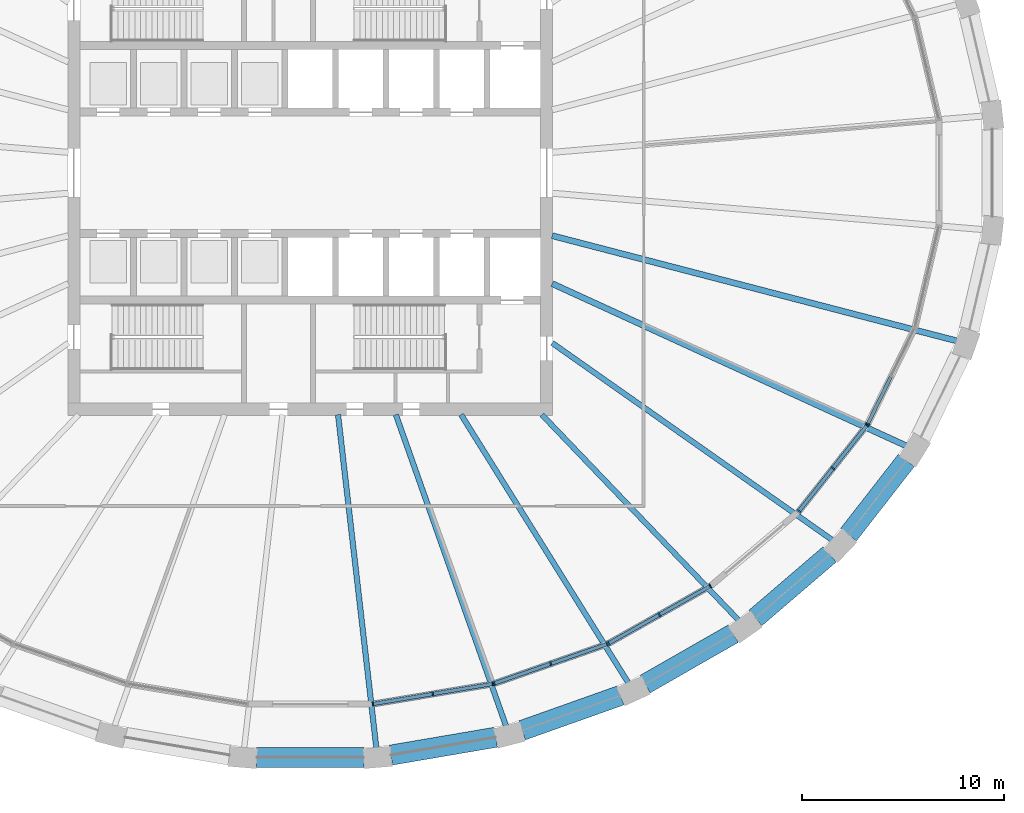
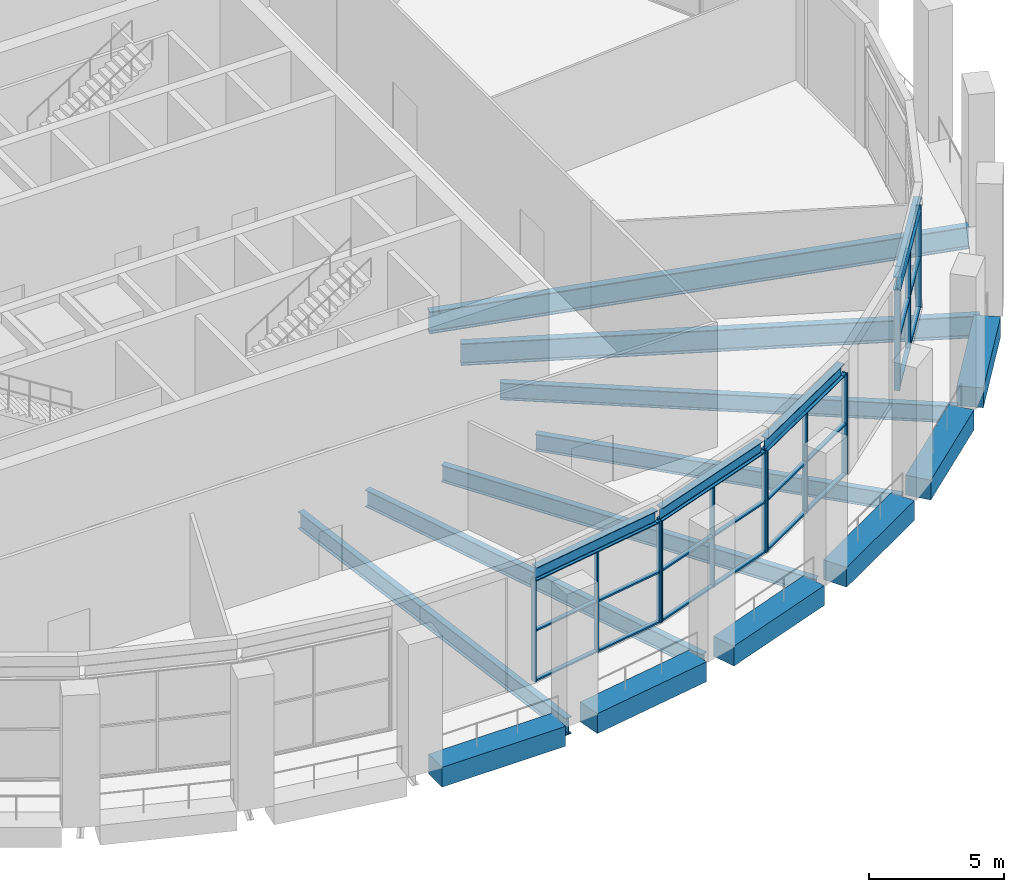
# One storey, part 4 of 19: 39 members, 17 beams, 5 elements without a shape of their own.
"""IFC4 building model written with IfcOpenShell, lengths in metres."""

from ifc_helpers import new_model, si_unit, direction, frame, origin, origin_2d, place, context, subcontext, project, spatial, rectangle, i_section, extrude, material, material_profile, profile_set, type_object, element, aggregate, save


model = new_model("IFC4")

# Units and contexts
model_context = context("Model", 3, precision=1e-05, world=origin(), true_north=direction((0.0, 1.0)))
body_context = subcontext(model_context, "Body", "Model", "MODEL_VIEW")
ifc_project = project(units=[si_unit("LENGTHUNIT", "METRE"), si_unit("AREAUNIT", "SQUARE_METRE"), si_unit("VOLUMEUNIT", "CUBIC_METRE"), si_unit("PLANEANGLEUNIT", "RADIAN"), si_unit("MASSUNIT", "GRAM", prefix="KILO")], contexts=[model_context])

# Site, building, storey
site_placement = place(None, origin())
site = spatial("IfcSite", under=ifc_project, at=site_placement, CompositionType="ELEMENT")
building_placement = place(site_placement, origin())
building = spatial("IfcBuilding", under=site, at=building_placement, Name="Halqa Exchange Tower", CompositionType="ELEMENT")
storey_placement = place(building_placement, frame((0.0, 0.0, 167.5)))
storey = spatial("IfcBuildingStorey", under=building, at=storey_placement, Name="L38", CompositionType="ELEMENT", Elevation=167.5)

# Beams
ifc_material_1 = material(Name="Steel S355", Category="steel")
ifc_material_profile_1 = material_profile(ifc_material_1, i_section(OverallWidth=0.300048828125, OverallDepth=0.989990234375, WebThickness=0.0166015625, FlangeThickness=0.031005859375, FilletRadius=0.030029296875, at=origin_2d()), Name="HEA 1000")
ifc_profile_set_1 = profile_set([ifc_material_profile_1], Name="Steel S355")
beam_type_1 = type_object("IfcBeamType", Name="Floor beam HEA 1000", PredefinedType="BEAM", material=ifc_profile_set_1)
beam_1_placement = place(storey_placement, frame((11.972412109375, -5.4853515625, -0.844970703125), z_axis=(0.909131678644, -0.416508812495, 0.0), x_axis=(0.416508812495, 0.909131678644, 0.0)))
element("IfcBeam", 1, at=beam_1_placement, inside=storey, type_object=beam_type_1, Name="Radial beam 30", PredefinedType="BEAM", context=body_context, shape_type="SweptSolid", body=[
    extrude(i_section(OverallWidth=0.300048828125, OverallDepth=0.989990234375, WebThickness=0.0166015625, FlangeThickness=0.031005859375, FilletRadius=0.030029296875, at=origin_2d()), origin(), (0.0, 0.0, 1.0), 19.36083984375),
])
ifc_material_profile_2 = material_profile(ifc_material_1, i_section(OverallWidth=0.300048828125, OverallDepth=1.0, WebThickness=0.01904296875, FlangeThickness=0.035888671875, FilletRadius=0.030029296875, at=origin_2d()), Name="HEB 1000")
ifc_profile_set_2 = profile_set([ifc_material_profile_2], Name="Steel S355")
beam_type_2 = type_object("IfcBeamType", Name="Floor beam HEB 1000", PredefinedType="BEAM", material=ifc_profile_set_2)
beam_2_placement = place(storey_placement, frame((11.97119140625, -3.11279296875, -0.85009765625), z_axis=(0.967821534715, -0.251637590478, 0.0), x_axis=(0.251637590478, 0.967821534715, 0.0)))
element("IfcBeam", 2, at=beam_2_placement, inside=storey, type_object=beam_type_2, Name="Radial beam 31", PredefinedType="BEAM", context=body_context, shape_type="SweptSolid", body=[
    extrude(i_section(OverallWidth=0.300048828125, OverallDepth=1.0, WebThickness=0.01904296875, FlangeThickness=0.035888671875, FilletRadius=0.030029296875, at=origin_2d()), origin(), (0.0, 0.0, 1.0), 20.79638671875),
])
ifc_material_profile_3 = material_profile(ifc_material_1, i_section(OverallWidth=0.264892578125, OverallDepth=0.7529296875, WebThickness=0.01318359375, FlangeThickness=0.01708984375, FilletRadius=0.01708984375, at=origin_2d()), Name="IPE 750x147")
ifc_profile_set_3 = profile_set([ifc_material_profile_3], Name="Steel S355")
beam_type_3 = type_object("IfcBeamType", Name="Floor beam IPE 750x147", PredefinedType="BEAM", material=ifc_profile_set_3)
beam_3_placement = place(storey_placement, frame((11.462890625, -11.97216796875, -0.7265625), z_axis=(0.691574751558, -0.722304896153, 0.0), x_axis=(0.722304896153, 0.691574751558, 0.0)))
element("IfcBeam", 3, at=beam_3_placement, inside=storey, type_object=beam_type_3, Name="Radial beam 28", PredefinedType="BEAM", context=body_context, shape_type="SweptSolid", body=[
    extrude(i_section(OverallWidth=0.264892578125, OverallDepth=0.7529296875, WebThickness=0.01318359375, FlangeThickness=0.01708984375, FilletRadius=0.01708984375, at=origin_2d()), origin(), (0.0, 0.0, 1.0), 14.165283203125),
])
ifc_material_profile_4 = material_profile(ifc_material_1, i_section(OverallWidth=0.26806640625, OverallDepth=0.77001953125, WebThickness=0.015625, FlangeThickness=0.025390625, FilletRadius=0.01708984375, at=origin_2d()), Name="IPE 750x196")
ifc_profile_set_4 = profile_set([ifc_material_profile_4], Name="Steel S355")
beam_type_4 = type_object("IfcBeamType", Name="Floor beam IPE 750x196", PredefinedType="BEAM", material=ifc_profile_set_4)
beam_4_placement = place(storey_placement, frame((1.37548828125, -11.97119140625, -0.735107421875), z_axis=(0.114150878314, -0.993463425084, 0.0), x_axis=(0.993463425084, 0.114150878314, 0.0)))
element("IfcBeam", 4, at=beam_4_placement, inside=storey, type_object=beam_type_4, Name="Radial beam 25", PredefinedType="BEAM", context=body_context, shape_type="SweptSolid", body=[
    extrude(i_section(OverallWidth=0.26806640625, OverallDepth=0.77001953125, WebThickness=0.015625, FlangeThickness=0.025390625, FilletRadius=0.01708984375, at=origin_2d()), origin(), (0.0, 0.0, 1.0), 16.70361328125),
])
beam_5_placement = place(storey_placement, frame((4.237060546875, -11.972412109375, -0.735107421875), z_axis=(0.333624740658, -0.942705962865, 0.0), x_axis=(0.942705962865, 0.333624740658, 0.0)))
element("IfcBeam", 5, at=beam_5_placement, inside=storey, type_object=beam_type_4, Name="Radial beam 26", PredefinedType="BEAM", context=body_context, shape_type="SweptSolid", body=[
    extrude(i_section(OverallWidth=0.26806640625, OverallDepth=0.77001953125, WebThickness=0.015625, FlangeThickness=0.025390625, FilletRadius=0.01708984375, at=origin_2d()), origin(), (0.0, 0.0, 1.0), 16.440185546875),
])
beam_6_placement = place(storey_placement, frame((7.46533203125, -11.971435546875, -0.735107421875), z_axis=(0.529139539114, -0.848534824357, 0.0), x_axis=(0.848534824357, 0.529139539114, 0.0)))
element("IfcBeam", 6, at=beam_6_placement, inside=storey, type_object=beam_type_4, Name="Radial beam 27", PredefinedType="BEAM", context=body_context, shape_type="SweptSolid", body=[
    extrude(i_section(OverallWidth=0.26806640625, OverallDepth=0.77001953125, WebThickness=0.015625, FlangeThickness=0.025390625, FilletRadius=0.01708984375, at=origin_2d()), origin(), (0.0, 0.0, 1.0), 15.73486328125),
])
beam_7_placement = place(storey_placement, frame((11.971435546875, -8.421142578125, -0.735107421875), z_axis=(0.817908264437, -0.575348651659, 0.0), x_axis=(0.575348651659, 0.817908264437, 0.0)))
element("IfcBeam", 7, at=beam_7_placement, inside=storey, type_object=beam_type_4, Name="Radial beam 29", PredefinedType="BEAM", context=body_context, shape_type="SweptSolid", body=[
    extrude(i_section(OverallWidth=0.26806640625, OverallDepth=0.77001953125, WebThickness=0.015625, FlangeThickness=0.025390625, FilletRadius=0.01708984375, at=origin_2d()), origin(), (0.0, 0.0, 1.0), 17.04638671875),
])
ifc_material_profile_5 = material_profile(ifc_material_1, i_section(OverallWidth=0.300048828125, OverallDepth=0.60009765625, WebThickness=0.015380859375, FlangeThickness=0.030029296875, FilletRadius=0.027099609375, at=origin_2d()), Name="HEB 600")
ifc_profile_set_5 = profile_set([ifc_material_profile_5], Name="Steel S355")
beam_type_5 = type_object("IfcBeamType", Name="Head beam HEB 600", PredefinedType="BEAM", material=ifc_profile_set_5)
beam_8_placement = place(storey_placement, frame((3.13037109375, -26.287353515625, 4.89990234375), z_axis=(0.986189441938, 0.165621208213, 0.0), x_axis=(-0.165621208213, 0.986189441938, 0.0)))
element("IfcBeam", 8, at=beam_8_placement, inside=storey, type_object=beam_type_5, Name="Spandrel head beam 25", PredefinedType="BEAM", context=body_context, shape_type="SweptSolid", body=[
    extrude(i_section(OverallWidth=0.300048828125, OverallDepth=0.60009765625, WebThickness=0.015380859375, FlangeThickness=0.030029296875, FilletRadius=0.027099609375, at=origin_2d()), origin(), (0.0, 0.0, 1.0), 5.797607421875),
])
beam_9_placement = place(storey_placement, frame((9.06640625, -25.29150390625, 4.89990234375), z_axis=(0.943946157734, 0.330099456679, 0.0), x_axis=(-0.330099456679, 0.943946157734, 0.0)))
element("IfcBeam", 9, at=beam_9_placement, inside=storey, type_object=beam_type_5, Name="Spandrel head beam 26", PredefinedType="BEAM", context=body_context, shape_type="SweptSolid", body=[
    extrude(i_section(OverallWidth=0.300048828125, OverallDepth=0.60009765625, WebThickness=0.015380859375, FlangeThickness=0.030029296875, FilletRadius=0.027099609375, at=origin_2d()), origin(), (0.0, 0.0, 1.0), 5.719970703125),
])
beam_10_placement = place(storey_placement, frame((14.68212890625, -23.33837890625, 4.89990234375), z_axis=(0.870952166168, 0.491367809535, 0.0), x_axis=(-0.491367809535, 0.870952166168, 0.0)))
element("IfcBeam", 10, at=beam_10_placement, inside=storey, type_object=beam_type_5, Name="Spandrel head beam 27", PredefinedType="BEAM", context=body_context, shape_type="SweptSolid", body=[
    extrude(i_section(OverallWidth=0.300048828125, OverallDepth=0.60009765625, WebThickness=0.015380859375, FlangeThickness=0.030029296875, FilletRadius=0.027099609375, at=origin_2d()), origin(), (0.0, 0.0, 1.0), 5.60205078125),
])
beam_11_placement = place(storey_placement, frame((24.11865234375, -16.83251953125, 4.89990234375), z_axis=(0.620595231128, 0.784131085407, 0.0), x_axis=(-0.784131085407, 0.620595231128, 0.0)))
element("IfcBeam", 11, at=beam_11_placement, inside=storey, type_object=beam_type_5, Name="Spandrel head beam 29", PredefinedType="BEAM", context=body_context, shape_type="SweptSolid", body=[
    extrude(i_section(OverallWidth=0.300048828125, OverallDepth=0.60009765625, WebThickness=0.015380859375, FlangeThickness=0.030029296875, FilletRadius=0.027099609375, at=origin_2d()), origin(), (0.0, 0.0, 1.0), 5.283447265625),
])
ifc_material_2 = material(Name="Concrete C60/75", Category="concrete")
ifc_material_profile_6 = material_profile(ifc_material_2, rectangle(XDim=1.0, YDim=0.89990234375, at=origin_2d()), Name="1000 x 900")
ifc_profile_set_6 = profile_set([ifc_material_profile_6], Name="Concrete C60/75")
beam_type_6 = type_object("IfcBeamType", Name="RC spandrel beam 1000 x 900 C60/75", PredefinedType="SPANDREL", material=ifc_profile_set_6)
beam_12_placement = place(storey_placement, frame((-2.649658203125, -28.935302734375, -0.449951171875), z_axis=(1.0, 0.0, 0.0), x_axis=(0.0, 1.0, 0.0)))
element("IfcBeam", 12, at=beam_12_placement, inside=storey, type_object=beam_type_6, Name="Spandrel 24", PredefinedType="SPANDREL", context=body_context, shape_type="SweptSolid", body=[
    extrude(rectangle(XDim=1.0, YDim=0.89990234375, at=origin_2d()), origin(), (0.0, 0.0, 1.0), 5.29931640625),
])
beam_13_placement = place(storey_placement, frame((3.990478515625, -28.82177734375, -0.449951171875), z_axis=(0.985766792744, 0.168118500836, 0.0), x_axis=(-0.168118500836, 0.985766792744, 0.0)))
element("IfcBeam", 13, at=beam_13_placement, inside=storey, type_object=beam_type_6, Name="Spandrel 25", PredefinedType="SPANDREL", context=body_context, shape_type="SweptSolid", body=[
    extrude(rectangle(XDim=1.0, YDim=0.89990234375, at=origin_2d()), origin(), (0.0, 0.0, 1.0), 5.26708984375),
])
beam_14_placement = place(storey_placement, frame((10.482177734375, -27.59765625, -0.449951171875), z_axis=(0.942370602203, 0.334570841682, 0.0), x_axis=(-0.334570841682, 0.942370602203, 0.0)))
element("IfcBeam", 14, at=beam_14_placement, inside=storey, type_object=beam_type_6, Name="Spandrel 26", PredefinedType="SPANDREL", context=body_context, shape_type="SweptSolid", body=[
    extrude(rectangle(XDim=1.0, YDim=0.89990234375, at=origin_2d()), origin(), (0.0, 0.0, 1.0), 5.169921875),
])
beam_15_placement = place(storey_placement, frame((16.5751953125, -25.30712890625, -0.449951171875), z_axis=(0.867743165303, 0.497012876161, 0.0), x_axis=(-0.497012876161, 0.867743165303, 0.0)))
element("IfcBeam", 15, at=beam_15_placement, inside=storey, type_object=beam_type_6, Name="Spandrel 27", PredefinedType="SPANDREL", context=body_context, shape_type="SweptSolid", body=[
    extrude(rectangle(XDim=1.0, YDim=0.89990234375, at=origin_2d()), origin(), (0.0, 0.0, 1.0), 5.022705078125),
])
beam_16_placement = place(storey_placement, frame((22.031005859375, -22.03662109375, -0.449951171875), z_axis=(0.759260160399, 0.650787222394, 0.0), x_axis=(-0.650787222394, 0.759260160399, 0.0)))
element("IfcBeam", 16, at=beam_16_placement, inside=storey, type_object=beam_type_6, Name="Spandrel 28", PredefinedType="SPANDREL", context=body_context, shape_type="SweptSolid", body=[
    extrude(rectangle(XDim=1.0, YDim=0.89990234375, at=origin_2d()), origin(), (0.0, 0.0, 1.0), 4.843505859375),
])
beam_17_placement = place(storey_placement, frame((26.63623046875, -17.9130859375, -0.449951171875), z_axis=(0.614796515977, 0.78868577009, 0.0), x_axis=(-0.78868577009, 0.614796515977, 0.0)))
element("IfcBeam", 17, at=beam_17_placement, inside=storey, type_object=beam_type_6, Name="Spandrel 29", PredefinedType="SPANDREL", context=body_context, shape_type="SweptSolid", body=[
    extrude(rectangle(XDim=1.0, YDim=0.89990234375, at=origin_2d()), origin(), (0.0, 0.0, 1.0), 4.658447265625),
])

# Curtain wall, members
ifc_material_3 = material(Name="Anodised aluminium and clear glass", Category="aluminium")
curtain_wall_type = type_object("IfcCurtainWallType", Name="Sky lobby glazing", PredefinedType="NOTDEFINED", material=ifc_material_3)
curtain_wall_1_placement = place(storey_placement, origin())
curtain_wall_1 = element("IfcCurtainWall", 18, at=curtain_wall_1_placement, inside=storey, type_object=curtain_wall_type, Name="Sky lobby glazing run G25", PredefinedType="NOTDEFINED")
ifc_material_4 = material(Name="Anodised aluminium", Category="aluminium")
ifc_material_profile_7 = material_profile(ifc_material_4, rectangle(XDim=0.219970703125, YDim=0.070068359375, at=origin_2d()), Name="AL 70x220")
ifc_profile_set_7 = profile_set([ifc_material_profile_7], Name="Anodised aluminium")
member_type_1 = type_object("IfcMemberType", Name="Sky lobby glazing mullion 70 x 220", PredefinedType="MULLION", material=ifc_profile_set_7)
member_1_placement = place(storey_placement, frame((3.097412109375, -26.29296875, 0.0), z_axis=(0.0, 0.0, 1.0), x_axis=(-0.165625859626, 0.986188660766, 0.0)))
member_1 = element("IfcMember", 19, at=member_1_placement, type_object=member_type_1, Name="G25 mullion 1", PredefinedType="MULLION", context=body_context, shape_type="SweptSolid", body=[
    extrude(rectangle(XDim=0.219970703125, YDim=0.070068359375, at=origin_2d()), origin(), (0.0, 0.0, 1.0), 4.60009765625),
])
member_2_placement = place(storey_placement, frame((6.067138671875, -25.794189453125, 0.0), z_axis=(0.0, 0.0, 1.0), x_axis=(-0.165625859626, 0.986188660766, 0.0)))
member_2 = element("IfcMember", 20, at=member_2_placement, type_object=member_type_1, Name="G25 mullion 2", PredefinedType="MULLION", context=body_context, shape_type="SweptSolid", body=[
    extrude(rectangle(XDim=0.219970703125, YDim=0.070068359375, at=origin_2d()), origin(), (0.0, 0.0, 1.0), 4.60009765625),
])
member_3_placement = place(storey_placement, frame((9.036865234375, -25.29541015625, 0.0), z_axis=(0.0, 0.0, 1.0), x_axis=(-0.165625859626, 0.986188660766, 0.0)))
member_3 = element("IfcMember", 21, at=member_3_placement, type_object=member_type_1, Name="G25 mullion 3", PredefinedType="MULLION", context=body_context, shape_type="SweptSolid", body=[
    extrude(rectangle(XDim=0.219970703125, YDim=0.070068359375, at=origin_2d()), origin(), (0.0, 0.0, 1.0), 4.60009765625),
])

curtain_wall_2_placement = place(storey_placement, origin())
curtain_wall_2 = element("IfcCurtainWall", 22, at=curtain_wall_2_placement, inside=storey, type_object=curtain_wall_type, Name="Sky lobby glazing run G26", PredefinedType="NOTDEFINED")
member_4_placement = place(storey_placement, frame((9.1044921875, -25.278076171875, 0.0), z_axis=(0.0, 0.0, 1.0), x_axis=(-0.330100113683, 0.943945927978, 0.0)))
member_4 = element("IfcMember", 23, at=member_4_placement, type_object=member_type_1, Name="G26 mullion 1", PredefinedType="MULLION", context=body_context, shape_type="SweptSolid", body=[
    extrude(rectangle(XDim=0.219970703125, YDim=0.070068359375, at=origin_2d()), origin(), (0.0, 0.0, 1.0), 4.60009765625),
])
member_5_placement = place(storey_placement, frame((11.90185546875, -24.2998046875, 0.0), z_axis=(0.0, 0.0, 1.0), x_axis=(-0.330100113683, 0.943945927978, 0.0)))
member_5 = element("IfcMember", 24, at=member_5_placement, type_object=member_type_1, Name="G26 mullion 2", PredefinedType="MULLION", context=body_context, shape_type="SweptSolid", body=[
    extrude(rectangle(XDim=0.219970703125, YDim=0.070068359375, at=origin_2d()), origin(), (0.0, 0.0, 1.0), 4.60009765625),
])
member_6_placement = place(storey_placement, frame((14.699462890625, -23.321533203125, 0.0), z_axis=(0.0, 0.0, 1.0), x_axis=(-0.330100113683, 0.943945927978, 0.0)))
member_6 = element("IfcMember", 25, at=member_6_placement, type_object=member_type_1, Name="G26 mullion 3", PredefinedType="MULLION", context=body_context, shape_type="SweptSolid", body=[
    extrude(rectangle(XDim=0.219970703125, YDim=0.070068359375, at=origin_2d()), origin(), (0.0, 0.0, 1.0), 4.60009765625),
])

curtain_wall_3_placement = place(storey_placement, origin())
curtain_wall_3 = element("IfcCurtainWall", 26, at=curtain_wall_3_placement, inside=storey, type_object=curtain_wall_type, Name="Sky lobby glazing run G27", PredefinedType="NOTDEFINED")
member_7_placement = place(storey_placement, frame((14.762939453125, -23.292724609375, 0.0), z_axis=(0.0, 0.0, 1.0), x_axis=(-0.491353762941, 0.87096009073, 0.0)))
member_7 = element("IfcMember", 27, at=member_7_placement, type_object=member_type_1, Name="G27 mullion 1", PredefinedType="MULLION", context=body_context, shape_type="SweptSolid", body=[
    extrude(rectangle(XDim=0.219970703125, YDim=0.070068359375, at=origin_2d()), origin(), (0.0, 0.0, 1.0), 4.60009765625),
])
member_8_placement = place(storey_placement, frame((17.28076171875, -21.872314453125, 0.0), z_axis=(0.0, 0.0, 1.0), x_axis=(-0.491353762941, 0.87096009073, 0.0)))
member_8 = element("IfcMember", 28, at=member_8_placement, type_object=member_type_1, Name="G27 mullion 2", PredefinedType="MULLION", context=body_context, shape_type="SweptSolid", body=[
    extrude(rectangle(XDim=0.219970703125, YDim=0.070068359375, at=origin_2d()), origin(), (0.0, 0.0, 1.0), 4.60009765625),
])
member_9_placement = place(storey_placement, frame((19.798583984375, -20.451904296875, 0.0), z_axis=(0.0, 0.0, 1.0), x_axis=(-0.491353762941, 0.87096009073, 0.0)))
member_9 = element("IfcMember", 29, at=member_9_placement, type_object=member_type_1, Name="G27 mullion 3", PredefinedType="MULLION", context=body_context, shape_type="SweptSolid", body=[
    extrude(rectangle(XDim=0.219970703125, YDim=0.070068359375, at=origin_2d()), origin(), (0.0, 0.0, 1.0), 4.60009765625),
])

curtain_wall_4_placement = place(storey_placement, origin())
curtain_wall_4 = element("IfcCurtainWall", 30, at=curtain_wall_4_placement, inside=storey, type_object=curtain_wall_type, Name="Sky lobby glazing run G29", PredefinedType="NOTDEFINED")
member_10_placement = place(storey_placement, frame((24.18701171875, -16.746337890625, 0.0), z_axis=(0.0, 0.0, 1.0), x_axis=(-0.784140319926, 0.620583563001, 0.0)))
member_10 = element("IfcMember", 31, at=member_10_placement, type_object=member_type_1, Name="G29 mullion 1", PredefinedType="MULLION", context=body_context, shape_type="SweptSolid", body=[
    extrude(rectangle(XDim=0.219970703125, YDim=0.070068359375, at=origin_2d()), origin(), (0.0, 0.0, 1.0), 4.60009765625),
])
member_11_placement = place(storey_placement, frame((25.86962890625, -14.6201171875, 0.0), z_axis=(0.0, 0.0, 1.0), x_axis=(-0.784140319926, 0.620583563001, 0.0)))
member_11 = element("IfcMember", 32, at=member_11_placement, type_object=member_type_1, Name="G29 mullion 2", PredefinedType="MULLION", context=body_context, shape_type="SweptSolid", body=[
    extrude(rectangle(XDim=0.219970703125, YDim=0.070068359375, at=origin_2d()), origin(), (0.0, 0.0, 1.0), 4.60009765625),
])
member_12_placement = place(storey_placement, frame((27.55224609375, -12.493896484375, 0.0), z_axis=(0.0, 0.0, 1.0), x_axis=(-0.784140319926, 0.620583563001, 0.0)))
member_12 = element("IfcMember", 33, at=member_12_placement, type_object=member_type_1, Name="G29 mullion 3", PredefinedType="MULLION", context=body_context, shape_type="SweptSolid", body=[
    extrude(rectangle(XDim=0.219970703125, YDim=0.070068359375, at=origin_2d()), origin(), (0.0, 0.0, 1.0), 4.60009765625),
])

# Curtain wall, member
curtain_wall_5_placement = place(storey_placement, origin())
curtain_wall_5 = element("IfcCurtainWall", 34, at=curtain_wall_5_placement, inside=storey, type_object=curtain_wall_type, Name="Sky lobby glazing run G30", PredefinedType="NOTDEFINED")
member_13_placement = place(storey_placement, frame((27.58935546875, -12.43505859375, 0.0), z_axis=(0.0, 0.0, 1.0), x_axis=(-0.897780317672, 0.440443527823, 0.0)))
member_13 = element("IfcMember", 35, at=member_13_placement, type_object=member_type_1, Name="G30 mullion 1", PredefinedType="MULLION", context=body_context, shape_type="SweptSolid", body=[
    extrude(rectangle(XDim=0.219970703125, YDim=0.070068359375, at=origin_2d()), origin(), (0.0, 0.0, 1.0), 4.60009765625),
])

# Member
ifc_material_profile_8 = material_profile(ifc_material_4, rectangle(XDim=0.179931640625, YDim=0.070068359375, at=origin_2d()), Name="AL 70x180")
ifc_profile_set_8 = profile_set([ifc_material_profile_8], Name="Anodised aluminium")
member_type_2 = type_object("IfcMemberType", Name="Sky lobby glazing transom 70 x 180", PredefinedType="USERDEFINED", material=ifc_profile_set_8)
member_14_placement = place(storey_placement, frame((3.1318359375, -26.287109375, 0.034912109375), z_axis=(0.986195809365, 0.165583288982, 0.0), x_axis=(-0.165583288982, 0.986195809365, 0.0)))
member_14 = element("IfcMember", 36, at=member_14_placement, type_object=member_type_2, Name="G25 transom 1.1", ObjectType="TRANSOM", PredefinedType="USERDEFINED", context=body_context, shape_type="SweptSolid", body=[
    extrude(rectangle(XDim=0.179931640625, YDim=0.070068359375, at=origin_2d()), origin(), (0.0, 0.0, 1.0), 2.94140625),
])

member_15_placement = place(storey_placement, frame((3.1318359375, -26.287109375, 2.300048828125), z_axis=(0.986195809365, 0.165583288982, 0.0), x_axis=(-0.165583288982, 0.986195809365, 0.0)))
member_15 = element("IfcMember", 37, at=member_15_placement, type_object=member_type_2, Name="G25 transom 1.2", ObjectType="TRANSOM", PredefinedType="USERDEFINED", context=body_context, shape_type="SweptSolid", body=[
    extrude(rectangle(XDim=0.179931640625, YDim=0.070068359375, at=origin_2d()), origin(), (0.0, 0.0, 1.0), 2.94140625),
])

member_16_placement = place(storey_placement, frame((3.1318359375, -26.287109375, 4.56494140625), z_axis=(0.986195809365, 0.165583288982, 0.0), x_axis=(-0.165583288982, 0.986195809365, 0.0)))
member_16 = element("IfcMember", 38, at=member_16_placement, type_object=member_type_2, Name="G25 transom 1.3", ObjectType="TRANSOM", PredefinedType="USERDEFINED", context=body_context, shape_type="SweptSolid", body=[
    extrude(rectangle(XDim=0.179931640625, YDim=0.070068359375, at=origin_2d()), origin(), (0.0, 0.0, 1.0), 2.94140625),
])

member_17_placement = place(storey_placement, frame((6.1015625, -25.788330078125, 0.034912109375), z_axis=(0.986195809365, 0.165583288982, 0.0), x_axis=(-0.165583288982, 0.986195809365, 0.0)))
member_17 = element("IfcMember", 39, at=member_17_placement, type_object=member_type_2, Name="G25 transom 2.1", ObjectType="TRANSOM", PredefinedType="USERDEFINED", context=body_context, shape_type="SweptSolid", body=[
    extrude(rectangle(XDim=0.179931640625, YDim=0.070068359375, at=origin_2d()), origin(), (0.0, 0.0, 1.0), 2.94140625),
])

member_18_placement = place(storey_placement, frame((6.1015625, -25.788330078125, 2.300048828125), z_axis=(0.986195809365, 0.165583288982, 0.0), x_axis=(-0.165583288982, 0.986195809365, 0.0)))
member_18 = element("IfcMember", 40, at=member_18_placement, type_object=member_type_2, Name="G25 transom 2.2", ObjectType="TRANSOM", PredefinedType="USERDEFINED", context=body_context, shape_type="SweptSolid", body=[
    extrude(rectangle(XDim=0.179931640625, YDim=0.070068359375, at=origin_2d()), origin(), (0.0, 0.0, 1.0), 2.94140625),
])

member_19_placement = place(storey_placement, frame((6.1015625, -25.788330078125, 4.56494140625), z_axis=(0.986195809365, 0.165583288982, 0.0), x_axis=(-0.165583288982, 0.986195809365, 0.0)))
member_19 = element("IfcMember", 41, at=member_19_placement, type_object=member_type_2, Name="G25 transom 2.3", ObjectType="TRANSOM", PredefinedType="USERDEFINED", context=body_context, shape_type="SweptSolid", body=[
    extrude(rectangle(XDim=0.179931640625, YDim=0.070068359375, at=origin_2d()), origin(), (0.0, 0.0, 1.0), 2.94140625),
])

aggregate(curtain_wall_1, [member_1, member_2, member_3, member_14, member_15, member_16, member_17, member_18, member_19])

member_20_placement = place(storey_placement, frame((9.137451171875, -25.2666015625, 0.034912109375), z_axis=(0.943931992269, 0.330139961186, 0.0), x_axis=(-0.330139961186, 0.943931992269, 0.0)))
member_20 = element("IfcMember", 42, at=member_20_placement, type_object=member_type_2, Name="G26 transom 1.1", ObjectType="TRANSOM", PredefinedType="USERDEFINED", context=body_context, shape_type="SweptSolid", body=[
    extrude(rectangle(XDim=0.179931640625, YDim=0.070068359375, at=origin_2d()), origin(), (0.0, 0.0, 1.0), 2.893798828125),
])

member_21_placement = place(storey_placement, frame((9.137451171875, -25.2666015625, 2.300048828125), z_axis=(0.943931992269, 0.330139961186, 0.0), x_axis=(-0.330139961186, 0.943931992269, 0.0)))
member_21 = element("IfcMember", 43, at=member_21_placement, type_object=member_type_2, Name="G26 transom 1.2", ObjectType="TRANSOM", PredefinedType="USERDEFINED", context=body_context, shape_type="SweptSolid", body=[
    extrude(rectangle(XDim=0.179931640625, YDim=0.070068359375, at=origin_2d()), origin(), (0.0, 0.0, 1.0), 2.893798828125),
])

member_22_placement = place(storey_placement, frame((9.137451171875, -25.2666015625, 4.56494140625), z_axis=(0.943931992269, 0.330139961186, 0.0), x_axis=(-0.330139961186, 0.943931992269, 0.0)))
member_22 = element("IfcMember", 44, at=member_22_placement, type_object=member_type_2, Name="G26 transom 1.3", ObjectType="TRANSOM", PredefinedType="USERDEFINED", context=body_context, shape_type="SweptSolid", body=[
    extrude(rectangle(XDim=0.179931640625, YDim=0.070068359375, at=origin_2d()), origin(), (0.0, 0.0, 1.0), 2.893798828125),
])

member_23_placement = place(storey_placement, frame((11.93505859375, -24.2880859375, 0.034912109375), z_axis=(0.943958282215, 0.330064783699, 0.0), x_axis=(-0.330064783699, 0.943958282215, 0.0)))
member_23 = element("IfcMember", 45, at=member_23_placement, type_object=member_type_2, Name="G26 transom 2.1", ObjectType="TRANSOM", PredefinedType="USERDEFINED", context=body_context, shape_type="SweptSolid", body=[
    extrude(rectangle(XDim=0.179931640625, YDim=0.070068359375, at=origin_2d()), origin(), (0.0, 0.0, 1.0), 2.8935546875),
])

member_24_placement = place(storey_placement, frame((11.93505859375, -24.2880859375, 2.300048828125), z_axis=(0.943958282215, 0.330064783699, 0.0), x_axis=(-0.330064783699, 0.943958282215, 0.0)))
member_24 = element("IfcMember", 46, at=member_24_placement, type_object=member_type_2, Name="G26 transom 2.2", ObjectType="TRANSOM", PredefinedType="USERDEFINED", context=body_context, shape_type="SweptSolid", body=[
    extrude(rectangle(XDim=0.179931640625, YDim=0.070068359375, at=origin_2d()), origin(), (0.0, 0.0, 1.0), 2.8935546875),
])

member_25_placement = place(storey_placement, frame((11.93505859375, -24.2880859375, 4.56494140625), z_axis=(0.943958282215, 0.330064783699, 0.0), x_axis=(-0.330064783699, 0.943958282215, 0.0)))
member_25 = element("IfcMember", 47, at=member_25_placement, type_object=member_type_2, Name="G26 transom 2.3", ObjectType="TRANSOM", PredefinedType="USERDEFINED", context=body_context, shape_type="SweptSolid", body=[
    extrude(rectangle(XDim=0.179931640625, YDim=0.070068359375, at=origin_2d()), origin(), (0.0, 0.0, 1.0), 2.8935546875),
])

aggregate(curtain_wall_2, [member_4, member_5, member_6, member_20, member_21, member_22, member_23, member_24, member_25])

member_26_placement = place(storey_placement, frame((14.79345703125, -23.275390625, 0.034912109375), z_axis=(0.870962322605, 0.49134980676, 0.0), x_axis=(-0.49134980676, 0.870962322605, 0.0)))
member_26 = element("IfcMember", 48, at=member_26_placement, type_object=member_type_2, Name="G27 transom 1.1", ObjectType="TRANSOM", PredefinedType="USERDEFINED", context=body_context, shape_type="SweptSolid", body=[
    extrude(rectangle(XDim=0.179931640625, YDim=0.070068359375, at=origin_2d()), origin(), (0.0, 0.0, 1.0), 2.82080078125),
])

member_27_placement = place(storey_placement, frame((14.79345703125, -23.275390625, 2.300048828125), z_axis=(0.870962322605, 0.49134980676, 0.0), x_axis=(-0.49134980676, 0.870962322605, 0.0)))
member_27 = element("IfcMember", 49, at=member_27_placement, type_object=member_type_2, Name="G27 transom 1.2", ObjectType="TRANSOM", PredefinedType="USERDEFINED", context=body_context, shape_type="SweptSolid", body=[
    extrude(rectangle(XDim=0.179931640625, YDim=0.070068359375, at=origin_2d()), origin(), (0.0, 0.0, 1.0), 2.82080078125),
])

member_28_placement = place(storey_placement, frame((14.79345703125, -23.275390625, 4.56494140625), z_axis=(0.870962322605, 0.49134980676, 0.0), x_axis=(-0.49134980676, 0.870962322605, 0.0)))
member_28 = element("IfcMember", 50, at=member_28_placement, type_object=member_type_2, Name="G27 transom 1.3", ObjectType="TRANSOM", PredefinedType="USERDEFINED", context=body_context, shape_type="SweptSolid", body=[
    extrude(rectangle(XDim=0.179931640625, YDim=0.070068359375, at=origin_2d()), origin(), (0.0, 0.0, 1.0), 2.82080078125),
])

member_29_placement = place(storey_placement, frame((17.311279296875, -21.855224609375, 0.034912109375), z_axis=(0.870925282467, 0.491415457999, 0.0), x_axis=(-0.491415457999, 0.870925282467, 0.0)))
member_29 = element("IfcMember", 51, at=member_29_placement, type_object=member_type_2, Name="G27 transom 2.1", ObjectType="TRANSOM", PredefinedType="USERDEFINED", context=body_context, shape_type="SweptSolid", body=[
    extrude(rectangle(XDim=0.179931640625, YDim=0.070068359375, at=origin_2d()), origin(), (0.0, 0.0, 1.0), 2.82080078125),
])

member_30_placement = place(storey_placement, frame((17.311279296875, -21.855224609375, 2.300048828125), z_axis=(0.870925282467, 0.491415457999, 0.0), x_axis=(-0.491415457999, 0.870925282467, 0.0)))
member_30 = element("IfcMember", 52, at=member_30_placement, type_object=member_type_2, Name="G27 transom 2.2", ObjectType="TRANSOM", PredefinedType="USERDEFINED", context=body_context, shape_type="SweptSolid", body=[
    extrude(rectangle(XDim=0.179931640625, YDim=0.070068359375, at=origin_2d()), origin(), (0.0, 0.0, 1.0), 2.82080078125),
])

member_31_placement = place(storey_placement, frame((17.311279296875, -21.855224609375, 4.56494140625), z_axis=(0.870925282467, 0.491415457999, 0.0), x_axis=(-0.491415457999, 0.870925282467, 0.0)))
member_31 = element("IfcMember", 53, at=member_31_placement, type_object=member_type_2, Name="G27 transom 2.3", ObjectType="TRANSOM", PredefinedType="USERDEFINED", context=body_context, shape_type="SweptSolid", body=[
    extrude(rectangle(XDim=0.179931640625, YDim=0.070068359375, at=origin_2d()), origin(), (0.0, 0.0, 1.0), 2.82080078125),
])

aggregate(curtain_wall_3, [member_7, member_8, member_9, member_26, member_27, member_28, member_29, member_30, member_31])

member_32_placement = place(storey_placement, frame((24.208740234375, -16.71875, 0.034912109375), z_axis=(0.620560889175, 0.78415826389, 0.0), x_axis=(-0.78415826389, 0.620560889175, 0.0)))
member_32 = element("IfcMember", 54, at=member_32_placement, type_object=member_type_2, Name="G29 transom 1.1", ObjectType="TRANSOM", PredefinedType="USERDEFINED", context=body_context, shape_type="SweptSolid", body=[
    extrude(rectangle(XDim=0.179931640625, YDim=0.070068359375, at=origin_2d()), origin(), (0.0, 0.0, 1.0), 2.641357421875),
])

member_33_placement = place(storey_placement, frame((24.208740234375, -16.71875, 2.300048828125), z_axis=(0.620560889175, 0.78415826389, 0.0), x_axis=(-0.78415826389, 0.620560889175, 0.0)))
member_33 = element("IfcMember", 55, at=member_33_placement, type_object=member_type_2, Name="G29 transom 1.2", ObjectType="TRANSOM", PredefinedType="USERDEFINED", context=body_context, shape_type="SweptSolid", body=[
    extrude(rectangle(XDim=0.179931640625, YDim=0.070068359375, at=origin_2d()), origin(), (0.0, 0.0, 1.0), 2.641357421875),
])

member_34_placement = place(storey_placement, frame((24.208740234375, -16.71875, 4.56494140625), z_axis=(0.620560889175, 0.78415826389, 0.0), x_axis=(-0.78415826389, 0.620560889175, 0.0)))
member_34 = element("IfcMember", 56, at=member_34_placement, type_object=member_type_2, Name="G29 transom 1.3", ObjectType="TRANSOM", PredefinedType="USERDEFINED", context=body_context, shape_type="SweptSolid", body=[
    extrude(rectangle(XDim=0.179931640625, YDim=0.070068359375, at=origin_2d()), origin(), (0.0, 0.0, 1.0), 2.641357421875),
])

member_35_placement = place(storey_placement, frame((25.891357421875, -14.5927734375, 0.034912109375), z_axis=(0.620560889175, 0.78415826389, 0.0), x_axis=(-0.78415826389, 0.620560889175, 0.0)))
member_35 = element("IfcMember", 57, at=member_35_placement, type_object=member_type_2, Name="G29 transom 2.1", ObjectType="TRANSOM", PredefinedType="USERDEFINED", context=body_context, shape_type="SweptSolid", body=[
    extrude(rectangle(XDim=0.179931640625, YDim=0.070068359375, at=origin_2d()), origin(), (0.0, 0.0, 1.0), 2.641357421875),
])

member_36_placement = place(storey_placement, frame((25.891357421875, -14.5927734375, 2.300048828125), z_axis=(0.620560889175, 0.78415826389, 0.0), x_axis=(-0.78415826389, 0.620560889175, 0.0)))
member_36 = element("IfcMember", 58, at=member_36_placement, type_object=member_type_2, Name="G29 transom 2.2", ObjectType="TRANSOM", PredefinedType="USERDEFINED", context=body_context, shape_type="SweptSolid", body=[
    extrude(rectangle(XDim=0.179931640625, YDim=0.070068359375, at=origin_2d()), origin(), (0.0, 0.0, 1.0), 2.641357421875),
])

member_37_placement = place(storey_placement, frame((25.891357421875, -14.5927734375, 4.56494140625), z_axis=(0.620560889175, 0.78415826389, 0.0), x_axis=(-0.78415826389, 0.620560889175, 0.0)))
member_37 = element("IfcMember", 59, at=member_37_placement, type_object=member_type_2, Name="G29 transom 2.3", ObjectType="TRANSOM", PredefinedType="USERDEFINED", context=body_context, shape_type="SweptSolid", body=[
    extrude(rectangle(XDim=0.179931640625, YDim=0.070068359375, at=origin_2d()), origin(), (0.0, 0.0, 1.0), 2.641357421875),
])

aggregate(curtain_wall_4, [member_10, member_11, member_12, member_32, member_33, member_34, member_35, member_36, member_37])

member_38_placement = place(storey_placement, frame((27.604736328125, -12.403564453125, 0.034912109375), z_axis=(0.440491663702, 0.897756701011, 0.0), x_axis=(-0.897756701011, 0.440491663702, 0.0)))
member_38 = element("IfcMember", 60, at=member_38_placement, type_object=member_type_2, Name="G30 transom 1.1", ObjectType="TRANSOM", PredefinedType="USERDEFINED", context=body_context, shape_type="SweptSolid", body=[
    extrude(rectangle(XDim=0.179931640625, YDim=0.070068359375, at=origin_2d()), origin(), (0.0, 0.0, 1.0), 2.561767578125),
])

member_39_placement = place(storey_placement, frame((27.604736328125, -12.403564453125, 2.300048828125), z_axis=(0.440491663702, 0.897756701011, 0.0), x_axis=(-0.897756701011, 0.440491663702, 0.0)))
member_39 = element("IfcMember", 61, at=member_39_placement, type_object=member_type_2, Name="G30 transom 1.2", ObjectType="TRANSOM", PredefinedType="USERDEFINED", context=body_context, shape_type="SweptSolid", body=[
    extrude(rectangle(XDim=0.179931640625, YDim=0.070068359375, at=origin_2d()), origin(), (0.0, 0.0, 1.0), 2.561767578125),
])

aggregate(curtain_wall_5, [member_13, member_38, member_39])

save(model, "model.ifc")
